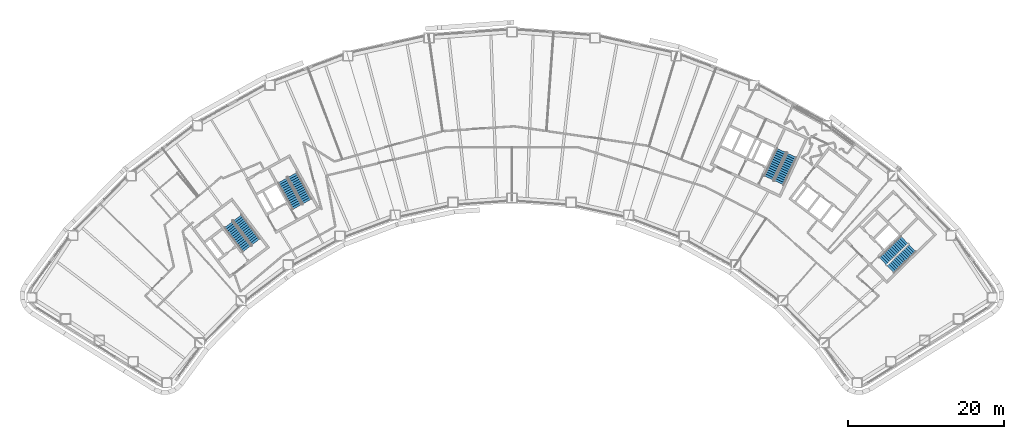
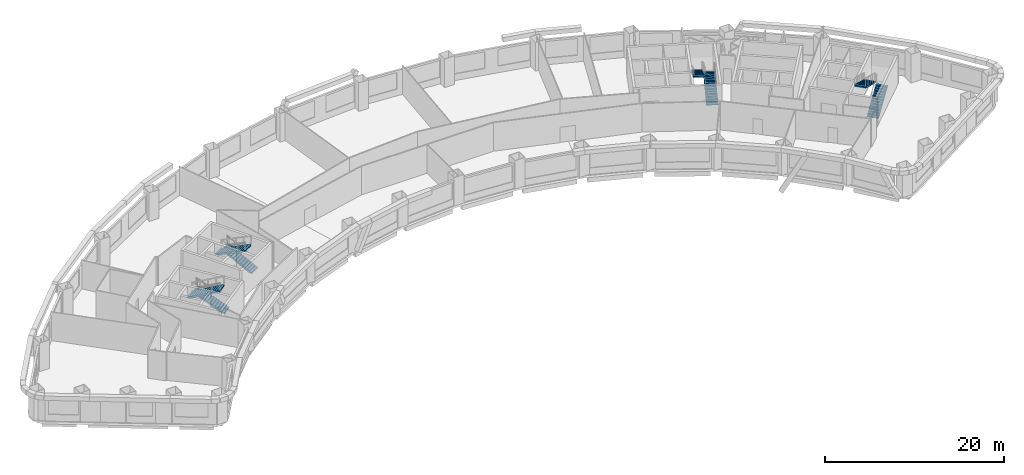
# One storey, part 9 of 11: 8 stair flights, 4 elements without a shape of their own.
"""IFC4 building model written with IfcOpenShell, lengths in metres."""

from ifc_helpers import new_model, si_unit, direction, frame, origin, place, context, subcontext, project, spatial, polyline, outline, extrude, material, type_object, element, aggregate, save


model = new_model("IFC4")

# Units and contexts
model_context = context("Model", 3, precision=1e-05, world=origin(), true_north=direction((0.0, 1.0)))
body_context = subcontext(model_context, "Body", "Model", "MODEL_VIEW")
ifc_project = project(units=[si_unit("LENGTHUNIT", "METRE"), si_unit("AREAUNIT", "SQUARE_METRE"), si_unit("VOLUMEUNIT", "CUBIC_METRE"), si_unit("PLANEANGLEUNIT", "RADIAN"), si_unit("MASSUNIT", "GRAM", prefix="KILO")], contexts=[model_context])

# Site, building, storey
site_placement = place(None, origin())
site = spatial("IfcSite", under=ifc_project, at=site_placement, CompositionType="ELEMENT")
building_placement = place(site_placement, origin())
building = spatial("IfcBuilding", under=site, at=building_placement, Name="Tuul Gate Civic Tower", CompositionType="ELEMENT")
storey_placement = place(building_placement, frame((0.0, 0.0, 35.699951171875)))
storey = spatial("IfcBuildingStorey", under=building, at=storey_placement, Name="Level 07", CompositionType="ELEMENT", Elevation=35.699951171875)

# Stair, stair flights
ifc_material_1 = material(Name="Concrete C40/50", Category="concrete")
stair_type = type_object("IfcStairType", Name="Exit stair", PredefinedType="HALF_TURN_STAIR", material=ifc_material_1)
stair_1_placement = place(storey_placement, origin())
stair_1 = element("IfcStair", 1, at=stair_1_placement, inside=storey, type_object=stair_type, Name="Level 07 ST-1", PredefinedType="HALF_TURN_STAIR")
ifc_material_2 = material(Name="Concrete C40/50", Category="concrete")
stair_flight_type = type_object("IfcStairFlightType", Name="Exit stair flight", PredefinedType="STRAIGHT", material=ifc_material_2)
stair_flight_1_placement = place(storey_placement, frame((-32.875244140625, -13.066650390625, 0.0), z_axis=(0.0, 0.0, 1.0), x_axis=(-0.605764474941, 0.795644016442, 0.0)))
stair_flight_1 = element("IfcStairFlight", 2, at=stair_flight_1_placement, type_object=stair_flight_type, Name="ST-1 flight 1", NumberOfRisers=14, NumberOfTreads=13, PredefinedType="STRAIGHT", RiserHeight=0.15, TreadLength=0.3, context=body_context, shape_type="SweptSolid", body=[
    extrude(outline(polyline([(0.0, 0.0), (0.0, 0.14990234375), (0.300048828125, 0.14990234375), (0.300048828125, 0.300048828125), (0.60009765625, 0.300048828125), (0.60009765625, 0.449951171875), (0.89990234375, 0.449951171875), (0.89990234375, 0.60009765625), (1.199951171875, 0.60009765625), (1.199951171875, 0.75), (1.5, 0.75), (1.5, 0.89990234375), (1.800048828125, 0.89990234375), (1.800048828125, 1.050048828125), (2.10009765625, 1.050048828125), (2.10009765625, 1.199951171875), (2.39990234375, 1.199951171875), (2.39990234375, 1.35009765625), (2.699951171875, 1.35009765625), (2.699951171875, 1.5), (3.0, 1.5), (3.0, 1.64990234375), (3.300048828125, 1.64990234375), (3.300048828125, 1.800048828125), (3.60009765625, 1.800048828125), (3.60009765625, 1.949951171875), (3.89990234375, 1.949951171875), (3.89990234375, 2.10009765625), (3.89990234375, 1.782470703125), (0.335205078125, 0.0), (0.0, 0.0)])), frame((0.0, 0.675048828125, 0.0), z_axis=(0.0, -1.0, 0.0), x_axis=(1.0, 0.0, 0.0)), (0.0, 0.0, 1.0), 1.35009765625),
])
stair_flight_2_placement = place(storey_placement, frame((-36.391357421875, -10.842041015625, 2.10009765625), z_axis=(0.0, 0.0, 1.0), x_axis=(0.605764474941, -0.795644016442, 0.0)))
stair_flight_2 = element("IfcStairFlight", 3, at=stair_flight_2_placement, type_object=stair_flight_type, Name="ST-1 flight 2", NumberOfRisers=14, NumberOfTreads=13, PredefinedType="STRAIGHT", RiserHeight=0.15, TreadLength=0.3, context=body_context, shape_type="SweptSolid", body=[
    extrude(outline(polyline([(0.0, 0.0), (0.0, 0.14990234375), (0.300048828125, 0.14990234375), (0.300048828125, 0.300048828125), (0.60009765625, 0.300048828125), (0.60009765625, 0.449951171875), (0.89990234375, 0.449951171875), (0.89990234375, 0.60009765625), (1.199951171875, 0.60009765625), (1.199951171875, 0.75), (1.5, 0.75), (1.5, 0.89990234375), (1.800048828125, 0.89990234375), (1.800048828125, 1.050048828125), (2.10009765625, 1.050048828125), (2.10009765625, 1.199951171875), (2.39990234375, 1.199951171875), (2.39990234375, 1.35009765625), (2.699951171875, 1.35009765625), (2.699951171875, 1.5), (3.0, 1.5), (3.0, 1.64990234375), (3.300048828125, 1.64990234375), (3.300048828125, 1.800048828125), (3.60009765625, 1.800048828125), (3.60009765625, 1.949951171875), (3.89990234375, 1.949951171875), (3.89990234375, 2.10009765625), (3.89990234375, 1.782470703125), (0.335205078125, 0.0), (0.0, 0.0)])), frame((0.0, 0.675048828125, 0.0), z_axis=(0.0, -1.0, 0.0), x_axis=(1.0, 0.0, 0.0)), (0.0, 0.0, 1.0), 1.35009765625),
])
aggregate(stair_1, [stair_flight_1, stair_flight_2])

stair_2_placement = place(storey_placement, origin())
stair_2 = element("IfcStair", 4, at=stair_2_placement, inside=storey, type_object=stair_type, Name="Level 07 ST-2", PredefinedType="HALF_TURN_STAIR")
stair_flight_3_placement = place(storey_placement, frame((-26.29150390625, -7.87646484375, 0.0), z_axis=(0.0, 0.0, 1.0), x_axis=(-0.484761763766, 0.874646232708, 0.0)))
stair_flight_3 = element("IfcStairFlight", 5, at=stair_flight_3_placement, type_object=stair_flight_type, Name="ST-2 flight 1", NumberOfRisers=14, NumberOfTreads=13, PredefinedType="STRAIGHT", RiserHeight=0.15, TreadLength=0.3, context=body_context, shape_type="SweptSolid", body=[
    extrude(outline(polyline([(0.0, 0.0), (0.0, 0.14990234375), (0.300048828125, 0.14990234375), (0.300048828125, 0.300048828125), (0.60009765625, 0.300048828125), (0.60009765625, 0.449951171875), (0.89990234375, 0.449951171875), (0.89990234375, 0.60009765625), (1.199951171875, 0.60009765625), (1.199951171875, 0.75), (1.5, 0.75), (1.5, 0.89990234375), (1.800048828125, 0.89990234375), (1.800048828125, 1.050048828125), (2.10009765625, 1.050048828125), (2.10009765625, 1.199951171875), (2.39990234375, 1.199951171875), (2.39990234375, 1.35009765625), (2.699951171875, 1.35009765625), (2.699951171875, 1.5), (3.0, 1.5), (3.0, 1.64990234375), (3.300048828125, 1.64990234375), (3.300048828125, 1.800048828125), (3.60009765625, 1.800048828125), (3.60009765625, 1.949951171875), (3.89990234375, 1.949951171875), (3.89990234375, 2.10009765625), (3.89990234375, 1.782470703125), (0.335205078125, 0.0), (0.0, 0.0)])), frame((0.0, 0.675048828125, 0.0), z_axis=(0.0, -1.0, 0.0), x_axis=(1.0, 0.0, 0.0)), (0.0, 0.0, 1.0), 1.35009765625),
])
stair_flight_4_placement = place(storey_placement, frame((-29.450439453125, -5.168212890625, 2.10009765625), z_axis=(0.0, 0.0, 1.0), x_axis=(0.484761763766, -0.874646232708, 0.0)))
stair_flight_4 = element("IfcStairFlight", 6, at=stair_flight_4_placement, type_object=stair_flight_type, Name="ST-2 flight 2", NumberOfRisers=14, NumberOfTreads=13, PredefinedType="STRAIGHT", RiserHeight=0.15, TreadLength=0.3, context=body_context, shape_type="SweptSolid", body=[
    extrude(outline(polyline([(0.0, 0.0), (0.0, 0.14990234375), (0.300048828125, 0.14990234375), (0.300048828125, 0.300048828125), (0.60009765625, 0.300048828125), (0.60009765625, 0.449951171875), (0.89990234375, 0.449951171875), (0.89990234375, 0.60009765625), (1.199951171875, 0.60009765625), (1.199951171875, 0.75), (1.5, 0.75), (1.5, 0.89990234375), (1.800048828125, 0.89990234375), (1.800048828125, 1.050048828125), (2.10009765625, 1.050048828125), (2.10009765625, 1.199951171875), (2.39990234375, 1.199951171875), (2.39990234375, 1.35009765625), (2.699951171875, 1.35009765625), (2.699951171875, 1.5), (3.0, 1.5), (3.0, 1.64990234375), (3.300048828125, 1.64990234375), (3.300048828125, 1.800048828125), (3.60009765625, 1.800048828125), (3.60009765625, 1.949951171875), (3.89990234375, 1.949951171875), (3.89990234375, 2.10009765625), (3.89990234375, 1.782470703125), (0.335205078125, 0.0), (0.0, 0.0)])), frame((0.0, 0.675048828125, 0.0), z_axis=(0.0, -1.0, 0.0), x_axis=(1.0, 0.0, 0.0)), (0.0, 0.0, 1.0), 1.35009765625),
])
aggregate(stair_2, [stair_flight_3, stair_flight_4])

stair_3_placement = place(storey_placement, origin())
stair_3 = element("IfcStair", 7, at=stair_3_placement, inside=storey, type_object=stair_type, Name="Level 07 ST-3", PredefinedType="HALF_TURN_STAIR")
stair_flight_5_placement = place(storey_placement, frame((48.61376953125, -16.581787109375, 0.0), z_axis=(0.0, 0.0, 1.0), x_axis=(0.714127290059, 0.700015866672, 0.0)))
stair_flight_5 = element("IfcStairFlight", 8, at=stair_flight_5_placement, type_object=stair_flight_type, Name="ST-3 flight 1", NumberOfRisers=14, NumberOfTreads=13, PredefinedType="STRAIGHT", RiserHeight=0.15, TreadLength=0.3, context=body_context, shape_type="SweptSolid", body=[
    extrude(outline(polyline([(0.0, 0.0), (0.0, 0.14990234375), (0.300048828125, 0.14990234375), (0.300048828125, 0.300048828125), (0.60009765625, 0.300048828125), (0.60009765625, 0.449951171875), (0.89990234375, 0.449951171875), (0.89990234375, 0.60009765625), (1.199951171875, 0.60009765625), (1.199951171875, 0.75), (1.5, 0.75), (1.5, 0.89990234375), (1.800048828125, 0.89990234375), (1.800048828125, 1.050048828125), (2.10009765625, 1.050048828125), (2.10009765625, 1.199951171875), (2.39990234375, 1.199951171875), (2.39990234375, 1.35009765625), (2.699951171875, 1.35009765625), (2.699951171875, 1.5), (3.0, 1.5), (3.0, 1.64990234375), (3.300048828125, 1.64990234375), (3.300048828125, 1.800048828125), (3.60009765625, 1.800048828125), (3.60009765625, 1.949951171875), (3.89990234375, 1.949951171875), (3.89990234375, 2.10009765625), (3.89990234375, 1.782470703125), (0.335205078125, 0.0), (0.0, 0.0)])), frame((0.0, 0.675048828125, 0.0), z_axis=(0.0, -1.0, 0.0), x_axis=(1.0, 0.0, 0.0)), (0.0, 0.0, 1.0), 1.35009765625),
])
stair_flight_6_placement = place(storey_placement, frame((50.3837890625, -12.816162109375, 2.10009765625), z_axis=(0.0, 0.0, 1.0), x_axis=(-0.714127290059, -0.700015866672, 0.0)))
stair_flight_6 = element("IfcStairFlight", 9, at=stair_flight_6_placement, type_object=stair_flight_type, Name="ST-3 flight 2", NumberOfRisers=14, NumberOfTreads=13, PredefinedType="STRAIGHT", RiserHeight=0.15, TreadLength=0.3, context=body_context, shape_type="SweptSolid", body=[
    extrude(outline(polyline([(0.0, 0.0), (0.0, 0.14990234375), (0.300048828125, 0.14990234375), (0.300048828125, 0.300048828125), (0.60009765625, 0.300048828125), (0.60009765625, 0.449951171875), (0.89990234375, 0.449951171875), (0.89990234375, 0.60009765625), (1.199951171875, 0.60009765625), (1.199951171875, 0.75), (1.5, 0.75), (1.5, 0.89990234375), (1.800048828125, 0.89990234375), (1.800048828125, 1.050048828125), (2.10009765625, 1.050048828125), (2.10009765625, 1.199951171875), (2.39990234375, 1.199951171875), (2.39990234375, 1.35009765625), (2.699951171875, 1.35009765625), (2.699951171875, 1.5), (3.0, 1.5), (3.0, 1.64990234375), (3.300048828125, 1.64990234375), (3.300048828125, 1.800048828125), (3.60009765625, 1.800048828125), (3.60009765625, 1.949951171875), (3.89990234375, 1.949951171875), (3.89990234375, 2.10009765625), (3.89990234375, 1.782470703125), (0.335205078125, 0.0), (0.0, 0.0)])), frame((0.0, 0.675048828125, 0.0), z_axis=(0.0, -1.0, 0.0), x_axis=(1.0, 0.0, 0.0)), (0.0, 0.0, 1.0), 1.35009765625),
])
aggregate(stair_3, [stair_flight_5, stair_flight_6])

stair_4_placement = place(storey_placement, origin())
stair_4 = element("IfcStair", 10, at=stair_4_placement, inside=storey, type_object=stair_type, Name="Level 07 ST-4", PredefinedType="HALF_TURN_STAIR")
stair_flight_7_placement = place(storey_placement, frame((34.278564453125, -5.478515625, 0.0), z_axis=(0.0, 0.0, 1.0), x_axis=(0.422576295988, 0.906327354806, 0.0)))
stair_flight_7 = element("IfcStairFlight", 11, at=stair_flight_7_placement, type_object=stair_flight_type, Name="ST-4 flight 1", NumberOfRisers=14, NumberOfTreads=13, PredefinedType="STRAIGHT", RiserHeight=0.15, TreadLength=0.3, context=body_context, shape_type="SweptSolid", body=[
    extrude(outline(polyline([(0.0, 0.0), (0.0, 0.14990234375), (0.300048828125, 0.14990234375), (0.300048828125, 0.300048828125), (0.60009765625, 0.300048828125), (0.60009765625, 0.449951171875), (0.89990234375, 0.449951171875), (0.89990234375, 0.60009765625), (1.199951171875, 0.60009765625), (1.199951171875, 0.75), (1.5, 0.75), (1.5, 0.89990234375), (1.800048828125, 0.89990234375), (1.800048828125, 1.050048828125), (2.10009765625, 1.050048828125), (2.10009765625, 1.199951171875), (2.39990234375, 1.199951171875), (2.39990234375, 1.35009765625), (2.699951171875, 1.35009765625), (2.699951171875, 1.5), (3.0, 1.5), (3.0, 1.64990234375), (3.300048828125, 1.64990234375), (3.300048828125, 1.800048828125), (3.60009765625, 1.800048828125), (3.60009765625, 1.949951171875), (3.89990234375, 1.949951171875), (3.89990234375, 2.10009765625), (3.89990234375, 1.782470703125), (0.335205078125, 0.0), (0.0, 0.0)])), frame((0.0, 0.675048828125, 0.0), z_axis=(0.0, -1.0, 0.0), x_axis=(1.0, 0.0, 0.0)), (0.0, 0.0, 1.0), 1.35009765625),
])
stair_flight_8_placement = place(storey_placement, frame((34.612548828125, -1.3310546875, 2.10009765625), z_axis=(0.0, 0.0, 1.0), x_axis=(-0.422576295988, -0.906327354806, 0.0)))
stair_flight_8 = element("IfcStairFlight", 12, at=stair_flight_8_placement, type_object=stair_flight_type, Name="ST-4 flight 2", NumberOfRisers=14, NumberOfTreads=13, PredefinedType="STRAIGHT", RiserHeight=0.15, TreadLength=0.3, context=body_context, shape_type="SweptSolid", body=[
    extrude(outline(polyline([(0.0, 0.0), (0.0, 0.14990234375), (0.300048828125, 0.14990234375), (0.300048828125, 0.300048828125), (0.60009765625, 0.300048828125), (0.60009765625, 0.449951171875), (0.89990234375, 0.449951171875), (0.89990234375, 0.60009765625), (1.199951171875, 0.60009765625), (1.199951171875, 0.75), (1.5, 0.75), (1.5, 0.89990234375), (1.800048828125, 0.89990234375), (1.800048828125, 1.050048828125), (2.10009765625, 1.050048828125), (2.10009765625, 1.199951171875), (2.39990234375, 1.199951171875), (2.39990234375, 1.35009765625), (2.699951171875, 1.35009765625), (2.699951171875, 1.5), (3.0, 1.5), (3.0, 1.64990234375), (3.300048828125, 1.64990234375), (3.300048828125, 1.800048828125), (3.60009765625, 1.800048828125), (3.60009765625, 1.949951171875), (3.89990234375, 1.949951171875), (3.89990234375, 2.10009765625), (3.89990234375, 1.782470703125), (0.335205078125, 0.0), (0.0, 0.0)])), frame((0.0, 0.675048828125, 0.0), z_axis=(0.0, -1.0, 0.0), x_axis=(1.0, 0.0, 0.0)), (0.0, 0.0, 1.0), 1.35009765625),
])
aggregate(stair_4, [stair_flight_7, stair_flight_8])

save(model, "model.ifc")
